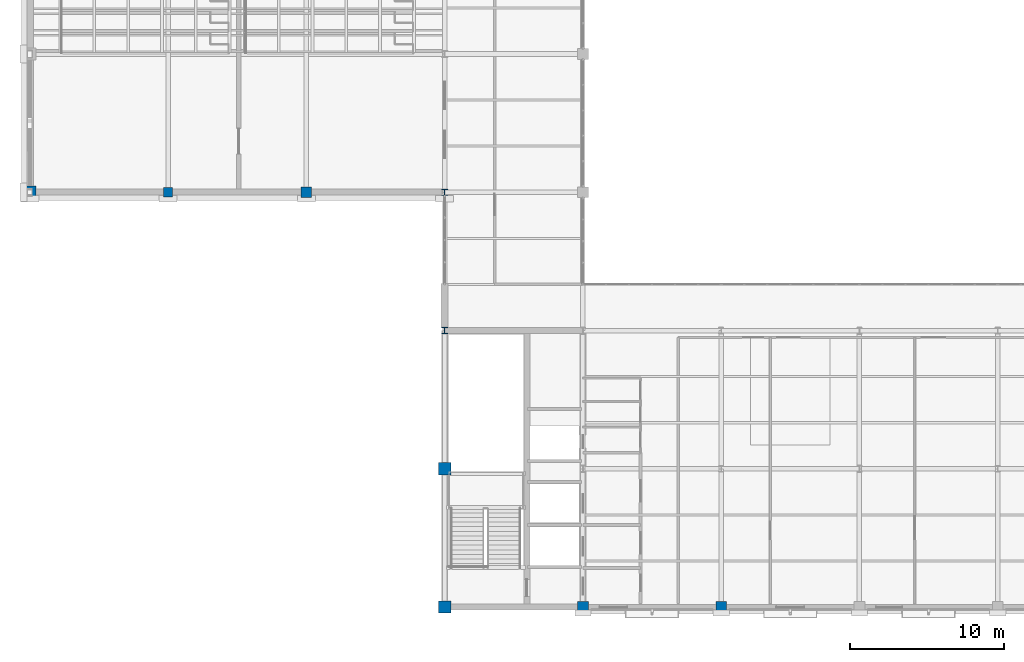
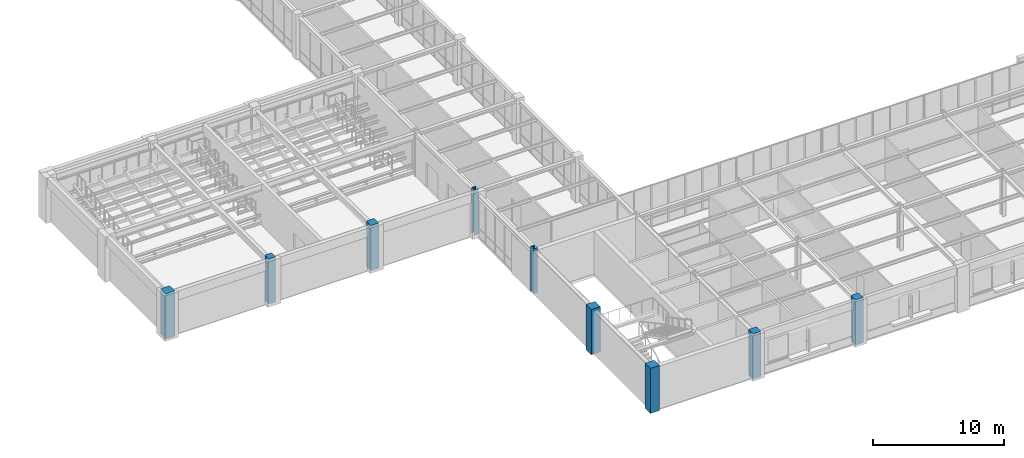
# One storey, part 1 of 130: 9 columns.
"""IFC4 building model written with IfcOpenShell, lengths in metres."""

from ifc_helpers import new_model, si_unit, direction, frame, origin, origin_2d, place, context, subcontext, project, spatial, rectangle, i_section, extrude, material, material_profile, profile_set, type_object, element, save


model = new_model("IFC4")

# Units and contexts
model_context = context("Model", 3, precision=1e-05, world=origin(), true_north=direction((0.0, 1.0)))
body_context = subcontext(model_context, "Body", "Model", "MODEL_VIEW")
ifc_project = project(units=[si_unit("LENGTHUNIT", "METRE"), si_unit("AREAUNIT", "SQUARE_METRE"), si_unit("VOLUMEUNIT", "CUBIC_METRE"), si_unit("PLANEANGLEUNIT", "RADIAN"), si_unit("MASSUNIT", "GRAM", prefix="KILO")], contexts=[model_context])

# Site, building, storey
site_placement = place(None, origin())
site = spatial("IfcSite", under=ifc_project, at=site_placement, CompositionType="ELEMENT")
building_placement = place(site_placement, origin())
building = spatial("IfcBuilding", under=site, at=building_placement, Name="Lykobir Media Centre", CompositionType="ELEMENT")
storey_placement = place(building_placement, frame((0.0, 0.0, 19.199951171875)))
storey = spatial("IfcBuildingStorey", under=building, at=storey_placement, Name="L04", CompositionType="ELEMENT", Elevation=19.199951171875)

# Columns
ifc_material_1 = material(Name="Concrete C40/50", Category="concrete")
ifc_material_profile_1 = material_profile(ifc_material_1, rectangle(XDim=0.60009765625, YDim=0.60009765625, at=origin_2d()), Name="RC 600x600")
ifc_profile_set_1 = profile_set([ifc_material_profile_1], Name="Concrete C40/50")
column_type_1 = type_object("IfcColumnType", Name="RC-C600", PredefinedType="COLUMN", material=ifc_profile_set_1)
column_1_placement = place(storey_placement, frame((9.0, 27.0, 0.0), z_axis=(0.0, 0.0, 1.0), x_axis=(1.0, 0.0, 0.0)))
element("IfcColumn", 1, at=column_1_placement, inside=storey, type_object=column_type_1, Name="Column COL-L04-0090-0270", PredefinedType="COLUMN", context=body_context, shape_type="SweptSolid", body=[
    extrude(rectangle(XDim=0.60009765625, YDim=0.60009765625, at=origin_2d()), origin(), (0.0, 0.0, 1.0), 4.199951171875),
])
ifc_material_profile_2 = material_profile(ifc_material_1, rectangle(XDim=0.699951171875, YDim=0.699951171875, at=origin_2d()), Name="RC 700x700")
ifc_profile_set_2 = profile_set([ifc_material_profile_2], Name="Concrete C40/50")
column_type_2 = type_object("IfcColumnType", Name="RC-C700", PredefinedType="COLUMN", material=ifc_profile_set_2)
column_2_placement = place(storey_placement, frame((18.0, 27.0, 0.0), z_axis=(0.0, 0.0, 1.0), x_axis=(1.0, 0.0, 0.0)))
element("IfcColumn", 2, at=column_2_placement, inside=storey, type_object=column_type_2, Name="Column COL-L04-0180-0270", PredefinedType="COLUMN", context=body_context, shape_type="SweptSolid", body=[
    extrude(rectangle(XDim=0.699951171875, YDim=0.699951171875, at=origin_2d()), origin(), (0.0, 0.0, 1.0), 4.199951171875),
])
ifc_material_profile_3 = material_profile(ifc_material_1, rectangle(XDim=0.699951171875, YDim=0.699951171875, at=origin_2d()), Name="RC 700x700")
ifc_profile_set_3 = profile_set([ifc_material_profile_3], Name="Concrete C40/50")
column_type_3 = type_object("IfcColumnType", Name="RC-C700-E", PredefinedType="COLUMN", material=ifc_profile_set_3)
for number, where, z_axis, x_axis, name in (
    (3, (36.0, 0.0, 0.0), (0.0, 0.0, 1.0), (1.0, 0.0, 0.0), "Column COL-L04-0360-0000"),
    (4, (45.0, 0.0, 0.0), (0.0, 0.0, 1.0), (1.0, 0.0, 0.0), "Column COL-L04-0450-0000"),
):
    element("IfcColumn", number, at=place(storey_placement, frame(where, z_axis=z_axis, x_axis=x_axis)), inside=storey, type_object=column_type_3, Name=name, PredefinedType="COLUMN", context=body_context, shape_type="SweptSolid", body=[
        extrude(rectangle(XDim=0.699951171875, YDim=0.699951171875, at=origin_2d()), origin(), (0.0, 0.0, 1.0), 4.199951171875),
    ])
ifc_material_profile_4 = material_profile(ifc_material_1, rectangle(XDim=0.800048828125, YDim=0.800048828125, at=origin_2d()), Name="RC 800x800")
ifc_profile_set_4 = profile_set([ifc_material_profile_4], Name="Concrete C40/50")
column_type_4 = type_object("IfcColumnType", Name="RC-C800", PredefinedType="COLUMN", material=ifc_profile_set_4)
column_3_placement = place(storey_placement, frame((27.0, 9.0, 0.0), z_axis=(0.0, 0.0, 1.0), x_axis=(1.0, 0.0, 0.0)))
element("IfcColumn", 5, at=column_3_placement, inside=storey, type_object=column_type_4, Name="Column COL-L04-0270-0090", PredefinedType="COLUMN", context=body_context, shape_type="SweptSolid", body=[
    extrude(rectangle(XDim=0.800048828125, YDim=0.800048828125, at=origin_2d()), origin(), (0.0, 0.0, 1.0), 4.199951171875),
])
ifc_material_profile_5 = material_profile(ifc_material_1, rectangle(XDim=0.800048828125, YDim=0.800048828125, at=origin_2d()), Name="RC 800x800")
ifc_profile_set_5 = profile_set([ifc_material_profile_5], Name="Concrete C40/50")
column_type_5 = type_object("IfcColumnType", Name="RC-C800-E", PredefinedType="COLUMN", material=ifc_profile_set_5)
for number, where, z_axis, x_axis, name in (
    (6, (0.0, 27.0, 0.0), (0.0, 0.0, 1.0), (1.0, 0.0, 0.0), "Column COL-L04-0000-0270"),
    (7, (27.0, 0.0, 0.0), (0.0, 0.0, 1.0), (1.0, 0.0, 0.0), "Column COL-L04-0270-0000"),
):
    element("IfcColumn", number, at=place(storey_placement, frame(where, z_axis=z_axis, x_axis=x_axis)), inside=storey, type_object=column_type_5, Name=name, PredefinedType="COLUMN", context=body_context, shape_type="SweptSolid", body=[
        extrude(rectangle(XDim=0.800048828125, YDim=0.800048828125, at=origin_2d()), origin(), (0.0, 0.0, 1.0), 4.199951171875),
    ])
ifc_material_2 = material(Name="Steel S355", Category="steel")
ifc_material_profile_6 = material_profile(ifc_material_2, i_section(OverallWidth=0.404052734375, OverallDepth=0.406982421875, WebThickness=0.017822265625, FlangeThickness=0.027099609375, at=origin_2d()), Name="HD 400x347")
ifc_profile_set_6 = profile_set([ifc_material_profile_6], Name="Steel S355")
column_type_6 = type_object("IfcColumnType", Name="SC-HD347", PredefinedType="COLUMN", material=ifc_profile_set_6)
for number, where, z_axis, x_axis, name in (
    (8, (27.0, 18.0, 0.0), (0.0, 0.0, 1.0), (1.0, 0.0, 0.0), "Column COL-L04-0270-0180"),
    (9, (27.0, 27.0, 0.0), (0.0, 0.0, 1.0), (1.0, 0.0, 0.0), "Column COL-L04-0270-0270"),
):
    element("IfcColumn", number, at=place(storey_placement, frame(where, z_axis=z_axis, x_axis=x_axis)), inside=storey, type_object=column_type_6, Name=name, PredefinedType="COLUMN", context=body_context, shape_type="SweptSolid", body=[
        extrude(i_section(OverallWidth=0.404052734375, OverallDepth=0.406982421875, WebThickness=0.017822265625, FlangeThickness=0.027099609375, at=origin_2d()), origin(), (0.0, 0.0, 1.0), 4.199951171875),
    ])

save(model, "model.ifc")
